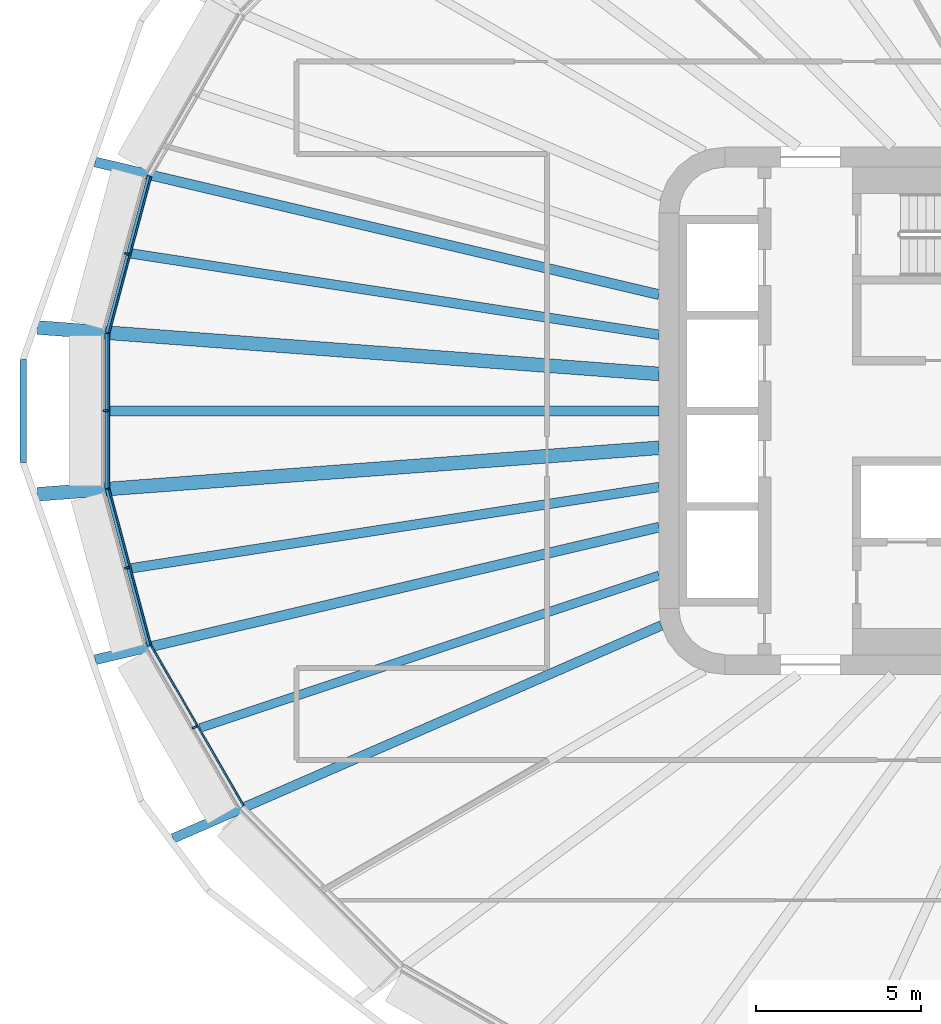
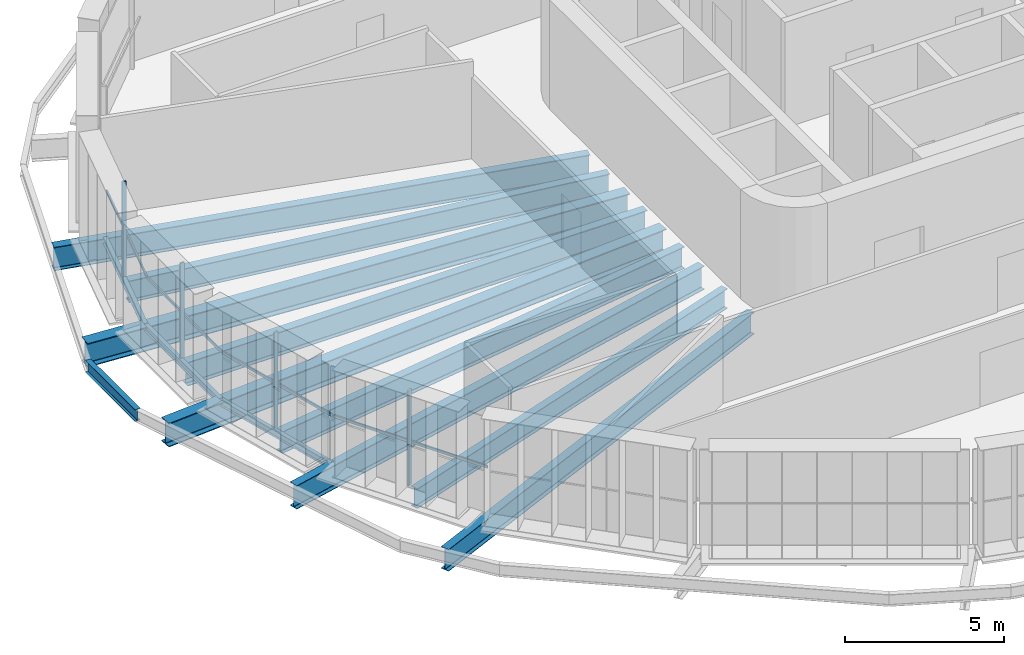
# One storey, part 3 of 24: 13 beams, 8 members, 4 elements without a shape of their own.
"""IFC4 building model written with IfcOpenShell, lengths in metres."""

from ifc_helpers import new_model, si_unit, direction, frame, origin, origin_2d, place, context, subcontext, project, spatial, rectangle, i_section, extrude, material, layer, layer_set, material_profile, profile_set, type_object, element, aggregate, save


model = new_model("IFC4")

# Units and contexts
model_context = context("Model", 3, precision=1e-05, world=origin(), true_north=direction((0.0, 1.0)))
body_context = subcontext(model_context, "Body", "Model", "MODEL_VIEW")
ifc_project = project(units=[si_unit("LENGTHUNIT", "METRE"), si_unit("AREAUNIT", "SQUARE_METRE"), si_unit("VOLUMEUNIT", "CUBIC_METRE"), si_unit("PLANEANGLEUNIT", "RADIAN"), si_unit("MASSUNIT", "GRAM", prefix="KILO")], contexts=[model_context])

# Site, building, storey
site_placement = place(None, origin())
site = spatial("IfcSite", under=ifc_project, at=site_placement, CompositionType="ELEMENT")
building_placement = place(site_placement, origin())
building = spatial("IfcBuilding", under=site, at=building_placement, Name="Sahrelin Media Tower", CompositionType="ELEMENT")
storey_placement = place(building_placement, frame((0.0, 0.0, 118.800048828125)))
storey = spatial("IfcBuildingStorey", under=building, at=storey_placement, Name="L23", CompositionType="ELEMENT", Elevation=118.800048828125)

# Beams
ifc_material_1 = material(Name="Steel S355", Category="steel")
ifc_material_profile_1 = material_profile(ifc_material_1, i_section(OverallWidth=0.14599609375, OverallDepth=0.25146484375, WebThickness=0.006103515625, FlangeThickness=0.008544921875, FilletRadius=0.007568359375, at=origin_2d()), Name="UB 254x146x31")
ifc_profile_set_1 = profile_set([ifc_material_profile_1], Name="Steel S355")
beam_type_1 = type_object("IfcBeamType", Name="Edge beam EB1", PredefinedType="BEAM", material=ifc_profile_set_1)
beam_1_placement = place(storey_placement, frame((-30.4560546875, -7.12353515625, -0.275634765625), z_axis=(-0.258784922699, 0.965934968714, 0.0), x_axis=(-0.965934968714, -0.258784922699, 0.0)))
element("IfcBeam", 1, at=beam_1_placement, inside=storey, type_object=beam_type_1, Name="Edge beam L23-12", PredefinedType="BEAM", context=body_context, shape_type="SweptSolid", body=[
    extrude(i_section(OverallWidth=0.14599609375, OverallDepth=0.25146484375, WebThickness=0.006103515625, FlangeThickness=0.008544921875, FilletRadius=0.007568359375, at=origin_2d()), origin(), (0.0, 0.0, 1.0), 4.914306640625),
])
beam_2_placement = place(storey_placement, frame((-31.731689453125, -2.347900390625, -0.275634765625), z_axis=(0.0, 1.0, 0.0), x_axis=(-1.0, 0.0, 0.0)))
element("IfcBeam", 2, at=beam_2_placement, inside=storey, type_object=beam_type_1, Name="Edge beam L23-13", PredefinedType="BEAM", context=body_context, shape_type="SweptSolid", body=[
    extrude(i_section(OverallWidth=0.14599609375, OverallDepth=0.25146484375, WebThickness=0.006103515625, FlangeThickness=0.008544921875, FilletRadius=0.007568359375, at=origin_2d()), origin(), (0.0, 0.0, 1.0), 4.69580078125),
])
beam_3_placement = place(storey_placement, frame((-31.727783203125, 2.376708984375, -0.275634765625), z_axis=(0.258784922699, 0.965934968714, 0.0), x_axis=(-0.965934968714, 0.258784922699, 0.0)))
element("IfcBeam", 3, at=beam_3_placement, inside=storey, type_object=beam_type_1, Name="Edge beam L23-14", PredefinedType="BEAM", context=body_context, shape_type="SweptSolid", body=[
    extrude(i_section(OverallWidth=0.14599609375, OverallDepth=0.25146484375, WebThickness=0.006103515625, FlangeThickness=0.008544921875, FilletRadius=0.007568359375, at=origin_2d()), origin(), (0.0, 0.0, 1.0), 4.914306640625),
])

# Curtain wall, member
ifc_material_2 = material(Name="Champagne anodised aluminium 6063-T6", Category="aluminium")
ifc_layer = layer(ifc_material_2, 0.14990234375)
ifc_layer_set = layer_set([ifc_layer], Name="Tower ribbon curtain wall")
curtain_wall_type = type_object("IfcCurtainWallType", Name="Tower ribbon curtain wall", PredefinedType="NOTDEFINED", material=ifc_layer_set)
curtain_wall_1_placement = place(storey_placement, frame((-31.23681640625, 4.788818359375, 0.0), z_axis=(0.0, 0.0, 1.0), x_axis=(1.0, 0.0, 0.0)))
curtain_wall_1 = element("IfcCurtainWall", 4, at=curtain_wall_1_placement, inside=storey, type_object=curtain_wall_type, Name="L23:CW:L23-11", PredefinedType="NOTDEFINED")
ifc_material_profile_2 = material_profile(ifc_material_2, rectangle(XDim=0.06005859375, YDim=0.14990234375, at=origin_2d()), Name="Mullion 60x150")
ifc_profile_set_2 = profile_set([ifc_material_profile_2], Name="Champagne anodised aluminium 6063-T6")
member_type_1 = type_object("IfcMemberType", Name="Mullion 60x150 CW1", PredefinedType="MULLION", material=ifc_profile_set_2)
member_1_placement = place(storey_placement, frame((-31.14501953125, 4.764404296875, 0.0), z_axis=(0.0, 0.0, 1.0), x_axis=(-0.258820730961, -0.965925374563, 0.0)))
member_1 = element("IfcMember", 5, at=member_1_placement, type_object=member_type_1, Name="L23:CWM:L23-11", PredefinedType="MULLION", context=body_context, shape_type="SweptSolid", body=[
    extrude(rectangle(XDim=0.06005859375, YDim=0.14990234375, at=origin_2d()), origin(), (0.0, 0.0, 1.0), 3.6484375),
])

curtain_wall_2_placement = place(storey_placement, frame((-31.881591796875, 0.0, 0.0), z_axis=(0.0, 0.0, 1.0), x_axis=(1.0, 0.0, 0.0)))
curtain_wall_2 = element("IfcCurtainWall", 6, at=curtain_wall_2_placement, inside=storey, type_object=curtain_wall_type, Name="L23:CW:L23-12", PredefinedType="NOTDEFINED")
member_2_placement = place(storey_placement, frame((-31.78662109375, 0.0, 0.0), z_axis=(0.0, 0.0, 1.0), x_axis=(0.0, -1.0, 0.0)))
member_2 = element("IfcMember", 7, at=member_2_placement, type_object=member_type_1, Name="L23:CWM:L23-12", PredefinedType="MULLION", context=body_context, shape_type="SweptSolid", body=[
    extrude(rectangle(XDim=0.06005859375, YDim=0.14990234375, at=origin_2d()), origin(), (0.0, 0.0, 1.0), 3.6484375),
])

curtain_wall_3_placement = place(storey_placement, frame((-31.23681640625, -4.788818359375, 0.0), z_axis=(0.0, 0.0, 1.0), x_axis=(1.0, 0.0, 0.0)))
curtain_wall_3 = element("IfcCurtainWall", 8, at=curtain_wall_3_placement, inside=storey, type_object=curtain_wall_type, Name="L23:CW:L23-13", PredefinedType="NOTDEFINED")
member_3_placement = place(storey_placement, frame((-31.14501953125, -4.764404296875, 0.0), z_axis=(0.0, 0.0, 1.0), x_axis=(0.258820730961, -0.965925374563, 0.0)))
member_3 = element("IfcMember", 9, at=member_3_placement, type_object=member_type_1, Name="L23:CWM:L23-13", PredefinedType="MULLION", context=body_context, shape_type="SweptSolid", body=[
    extrude(rectangle(XDim=0.06005859375, YDim=0.14990234375, at=origin_2d()), origin(), (0.0, 0.0, 1.0), 3.6484375),
])

curtain_wall_4_placement = place(storey_placement, frame((-29.174560546875, -9.650390625, 0.0), z_axis=(0.0, 0.0, 1.0), x_axis=(1.0, 0.0, 0.0)))
curtain_wall_4 = element("IfcCurtainWall", 10, at=curtain_wall_4_placement, inside=storey, type_object=curtain_wall_type, Name="L23:CW:L23-14", PredefinedType="NOTDEFINED")
member_4_placement = place(storey_placement, frame((-29.09228515625, -9.60302734375, 0.0), z_axis=(0.0, 0.0, 1.0), x_axis=(0.500001511499, -0.866024531118, 0.0)))
member_4 = element("IfcMember", 11, at=member_4_placement, type_object=member_type_1, Name="L23:CWM:L23-14", PredefinedType="MULLION", context=body_context, shape_type="SweptSolid", body=[
    extrude(rectangle(XDim=0.06005859375, YDim=0.14990234375, at=origin_2d()), origin(), (0.0, 0.0, 1.0), 3.6484375),
])

# Beams
ifc_material_profile_3 = material_profile(ifc_material_1, i_section(OverallWidth=0.291748046875, OverallDepth=0.8349609375, WebThickness=0.013916015625, FlangeThickness=0.018798828125, FilletRadius=0.017822265625, at=origin_2d()), Name="UB 838x292x176")
ifc_profile_set_3 = profile_set([ifc_material_profile_3], Name="Steel S355")
beam_type_2 = type_object("IfcBeamType", Name="Radial primary beam PB10", PredefinedType="BEAM", material=ifc_profile_set_3)
beam_4_placement = place(storey_placement, frame((-14.9326171875, -6.512451171875, -0.567626953125), z_axis=(-0.916617780481, -0.399764736446, 0.0), x_axis=(0.399764736446, -0.916617780481, 0.0)))
element("IfcBeam", 12, at=beam_4_placement, inside=storey, type_object=beam_type_2, Name="Radial beam L23-15", PredefinedType="BEAM", context=body_context, shape_type="SweptSolid", body=[
    extrude(i_section(OverallWidth=0.291748046875, OverallDepth=0.8349609375, WebThickness=0.013916015625, FlangeThickness=0.018798828125, FilletRadius=0.017822265625, at=origin_2d()), origin(), (0.0, 0.0, 1.0), 16.16357421875),
])
ifc_material_profile_4 = material_profile(ifc_material_1, i_section(OverallWidth=0.30322265625, OverallDepth=0.903076171875, WebThickness=0.01513671875, FlangeThickness=0.020263671875, FilletRadius=0.01904296875, at=origin_2d()), Name="UB 914x305x201")
ifc_profile_set_4 = profile_set([ifc_material_profile_4], Name="Steel S355")
beam_type_3 = type_object("IfcBeamType", Name="Radial primary beam PB11", PredefinedType="BEAM", material=ifc_profile_set_4)
for number, where, z_axis, x_axis, name in (
    (13, (-15.0, 3.528076171875, -0.6015625), (-0.973435019662, 0.228963452315, 0.0), (-0.228963452315, -0.973435019662, 0.0), "Radial beam L23-11"),
    (14, (-15.0, -3.528076171875, -0.6015625), (-0.973435019662, -0.228963452315, 0.0), (0.228963452315, -0.973435019662, 0.0), "Radial beam L23-14"),
):
    element("IfcBeam", number, at=place(storey_placement, frame(where, z_axis=z_axis, x_axis=x_axis)), inside=storey, type_object=beam_type_3, Name=name, PredefinedType="BEAM", context=body_context, shape_type="SweptSolid", body=[
        extrude(i_section(OverallWidth=0.30322265625, OverallDepth=0.903076171875, WebThickness=0.01513671875, FlangeThickness=0.020263671875, FilletRadius=0.01904296875, at=origin_2d()), origin(), (0.0, 0.0, 1.0), 17.574462890625),
    ])
ifc_material_profile_5 = material_profile(ifc_material_1, i_section(OverallWidth=0.41845703125, OverallDepth=0.911865234375, WebThickness=0.019287109375, FlangeThickness=0.031982421875, FilletRadius=0.024169921875, at=origin_2d()), Name="UB 914x419x343")
ifc_profile_set_5 = profile_set([ifc_material_profile_5], Name="Steel S355")
beam_type_4 = type_object("IfcBeamType", Name="Radial primary beam PB12", PredefinedType="BEAM", material=ifc_profile_set_5)
for number, where, z_axis, x_axis, name in (
    (15, (-15.0, 1.120849609375, -0.60595703125), (-0.997220023262, 0.074513255228, 0.0), (-0.074513255228, -0.997220023262, 0.0), "Radial beam L23-12"),
    (16, (-15.0, -1.120849609375, -0.60595703125), (-0.997220023262, -0.074513255228, 0.0), (0.074513255228, -0.997220023262, 0.0), "Radial beam L23-13"),
):
    element("IfcBeam", number, at=place(storey_placement, frame(where, z_axis=z_axis, x_axis=x_axis)), inside=storey, type_object=beam_type_4, Name=name, PredefinedType="BEAM", context=body_context, shape_type="SweptSolid", body=[
        extrude(i_section(OverallWidth=0.41845703125, OverallDepth=0.911865234375, WebThickness=0.019287109375, FlangeThickness=0.031982421875, FilletRadius=0.024169921875, at=origin_2d()), origin(), (0.0, 0.0, 1.0), 18.908447265625),
    ])
ifc_material_profile_6 = material_profile(ifc_material_1, i_section(OverallWidth=0.291748046875, OverallDepth=0.8349609375, WebThickness=0.013916015625, FlangeThickness=0.018798828125, FilletRadius=0.017822265625, at=origin_2d()), Name="UB 838x292x176")
ifc_profile_set_6 = profile_set([ifc_material_profile_6], Name="Steel S355")
beam_type_5 = type_object("IfcBeamType", Name="Radial secondary beam SB10", PredefinedType="BEAM", material=ifc_profile_set_6)
for number, where, z_axis, x_axis, name in (
    (17, (-15.0, 2.31005859375, -0.567626953125), (-0.988350081488, 0.152197622918, 0.0), (-0.152197622918, -0.988350081488, 0.0), "Secondary beam L23-11"),
    (18, (-15.0, -2.31005859375, -0.567626953125), (-0.988350081488, -0.152197622918, 0.0), (0.152197622918, -0.988350081488, 0.0), "Secondary beam L23-13"),
):
    element("IfcBeam", number, at=place(storey_placement, frame(where, z_axis=z_axis, x_axis=x_axis)), inside=storey, type_object=beam_type_5, Name=name, PredefinedType="BEAM", context=body_context, shape_type="SweptSolid", body=[
        extrude(i_section(OverallWidth=0.291748046875, OverallDepth=0.8349609375, WebThickness=0.013916015625, FlangeThickness=0.018798828125, FilletRadius=0.017822265625, at=origin_2d()), origin(), (0.0, 0.0, 1.0), 16.1982421875),
    ])
ifc_material_profile_7 = material_profile(ifc_material_1, i_section(OverallWidth=0.30322265625, OverallDepth=0.903076171875, WebThickness=0.01513671875, FlangeThickness=0.020263671875, FilletRadius=0.01904296875, at=origin_2d()), Name="UB 914x305x201")
ifc_profile_set_7 = profile_set([ifc_material_profile_7], Name="Steel S355")
beam_type_6 = type_object("IfcBeamType", Name="Radial secondary beam SB11", PredefinedType="BEAM", material=ifc_profile_set_7)
beam_5_placement = place(storey_placement, frame((-15.0, 0.0, -0.6015625), z_axis=(-1.0, 0.0, 0.0), x_axis=(0.0, -1.0, 0.0)))
element("IfcBeam", 19, at=beam_5_placement, inside=storey, type_object=beam_type_6, Name="Secondary beam L23-12", PredefinedType="BEAM", context=body_context, shape_type="SweptSolid", body=[
    extrude(i_section(OverallWidth=0.30322265625, OverallDepth=0.903076171875, WebThickness=0.01513671875, FlangeThickness=0.020263671875, FilletRadius=0.01904296875, at=origin_2d()), origin(), (0.0, 0.0, 1.0), 16.65869140625),
])
ifc_material_profile_8 = material_profile(ifc_material_1, i_section(OverallWidth=0.26513671875, OverallDepth=0.75390625, WebThickness=0.0126953125, FlangeThickness=0.017578125, FilletRadius=0.0166015625, at=origin_2d()), Name="UB 762x267x147")
ifc_profile_set_8 = profile_set([ifc_material_profile_8], Name="Steel S355")
beam_type_7 = type_object("IfcBeamType", Name="Radial secondary beam SB9", PredefinedType="BEAM", material=ifc_profile_set_8)
beam_6_placement = place(storey_placement, frame((-15.0, -4.98974609375, -0.527099609375), z_axis=(-0.948881111096, -0.315633707017, 0.0), x_axis=(0.315633707017, -0.948881111096, 0.0)))
element("IfcBeam", 20, at=beam_6_placement, inside=storey, type_object=beam_type_7, Name="Secondary beam L23-14", PredefinedType="BEAM", context=body_context, shape_type="SweptSolid", body=[
    extrude(i_section(OverallWidth=0.26513671875, OverallDepth=0.75390625, WebThickness=0.0126953125, FlangeThickness=0.017578125, FilletRadius=0.0166015625, at=origin_2d()), origin(), (0.0, 0.0, 1.0), 14.673095703125),
])
ifc_material_profile_9 = material_profile(ifc_material_1, i_section(OverallWidth=0.1904296875, OverallDepth=0.45703125, WebThickness=0.009033203125, FlangeThickness=0.014404296875, FilletRadius=0.01025390625, at=origin_2d()), Name="UB 457x191x74")
ifc_profile_set_9 = profile_set([ifc_material_profile_9], Name="Steel S355")
beam_type_8 = type_object("IfcBeamType", Name="Tie chord TC5", PredefinedType="BEAM", material=ifc_profile_set_9)
beam_7_placement = place(storey_placement, frame((-34.294189453125, 1.56103515625, -0.378662109375), z_axis=(0.0, -1.0, 0.0), x_axis=(1.0, 0.0, 0.0)))
element("IfcBeam", 21, at=beam_7_placement, inside=storey, type_object=beam_type_8, Name="Tie chord L23-12", PredefinedType="BEAM", context=body_context, shape_type="SweptSolid", body=[
    extrude(i_section(OverallWidth=0.1904296875, OverallDepth=0.45703125, WebThickness=0.009033203125, FlangeThickness=0.014404296875, FilletRadius=0.01025390625, at=origin_2d()), origin(), (0.0, 0.0, 1.0), 3.1220703125),
])

# Member
ifc_material_profile_10 = material_profile(ifc_material_2, rectangle(XDim=0.050048828125, YDim=0.10009765625, at=origin_2d()), Name="Transom 50x100")
ifc_profile_set_10 = profile_set([ifc_material_profile_10], Name="Champagne anodised aluminium 6063-T6")
member_type_2 = type_object("IfcMemberType", Name="Transom 50x100 CW1", PredefinedType="USERDEFINED", material=ifc_profile_set_10)
member_5_placement = place(storey_placement, frame((-30.41650390625, 7.0966796875, 1.599853515625), z_axis=(-0.258841882199, -0.965919706818, 0.0), x_axis=(0.965919706818, -0.258841882199, 0.0)))
member_5 = element("IfcMember", 22, at=member_5_placement, type_object=member_type_2, Name="L23:CWT:L23-11", ObjectType="TRANSOM", PredefinedType="USERDEFINED", context=body_context, shape_type="SweptSolid", body=[
    extrude(rectangle(XDim=0.050048828125, YDim=0.10009765625, at=origin_2d()), origin(), (0.0, 0.0, 1.0), 4.883056640625),
])

aggregate(curtain_wall_1, [member_1, member_5])

member_6_placement = place(storey_placement, frame((-31.686767578125, 2.332275390625, 1.599853515625), z_axis=(0.0, -1.0, 0.0), x_axis=(1.0, 0.0, 0.0)))
member_6 = element("IfcMember", 23, at=member_6_placement, type_object=member_type_2, Name="L23:CWT:L23-12", ObjectType="TRANSOM", PredefinedType="USERDEFINED", context=body_context, shape_type="SweptSolid", body=[
    extrude(rectangle(XDim=0.050048828125, YDim=0.10009765625, at=origin_2d()), origin(), (0.0, 0.0, 1.0), 4.66455078125),
])

aggregate(curtain_wall_2, [member_2, member_6])

member_7_placement = place(storey_placement, frame((-31.680419921875, -2.380126953125, 1.599853515625), z_axis=(0.258841882199, -0.965919706818, 0.0), x_axis=(0.965919706818, 0.258841882199, 0.0)))
member_7 = element("IfcMember", 24, at=member_7_placement, type_object=member_type_2, Name="L23:CWT:L23-13", ObjectType="TRANSOM", PredefinedType="USERDEFINED", context=body_context, shape_type="SweptSolid", body=[
    extrude(rectangle(XDim=0.050048828125, YDim=0.10009765625, at=origin_2d()), origin(), (0.0, 0.0, 1.0), 4.883056640625),
])

aggregate(curtain_wall_3, [member_3, member_7])

member_8_placement = place(storey_placement, frame((-30.398193359375, -7.141357421875, 1.599853515625), z_axis=(0.500028539159, -0.866008926066, 0.0), x_axis=(0.866008926066, 0.500028539159, 0.0)))
member_8 = element("IfcMember", 25, at=member_8_placement, type_object=member_type_2, Name="L23:CWT:L23-14", ObjectType="TRANSOM", PredefinedType="USERDEFINED", context=body_context, shape_type="SweptSolid", body=[
    extrude(rectangle(XDim=0.050048828125, YDim=0.10009765625, at=origin_2d()), origin(), (0.0, 0.0, 1.0), 5.569580078125),
])

aggregate(curtain_wall_4, [member_4, member_8])

save(model, "model.ifc")
